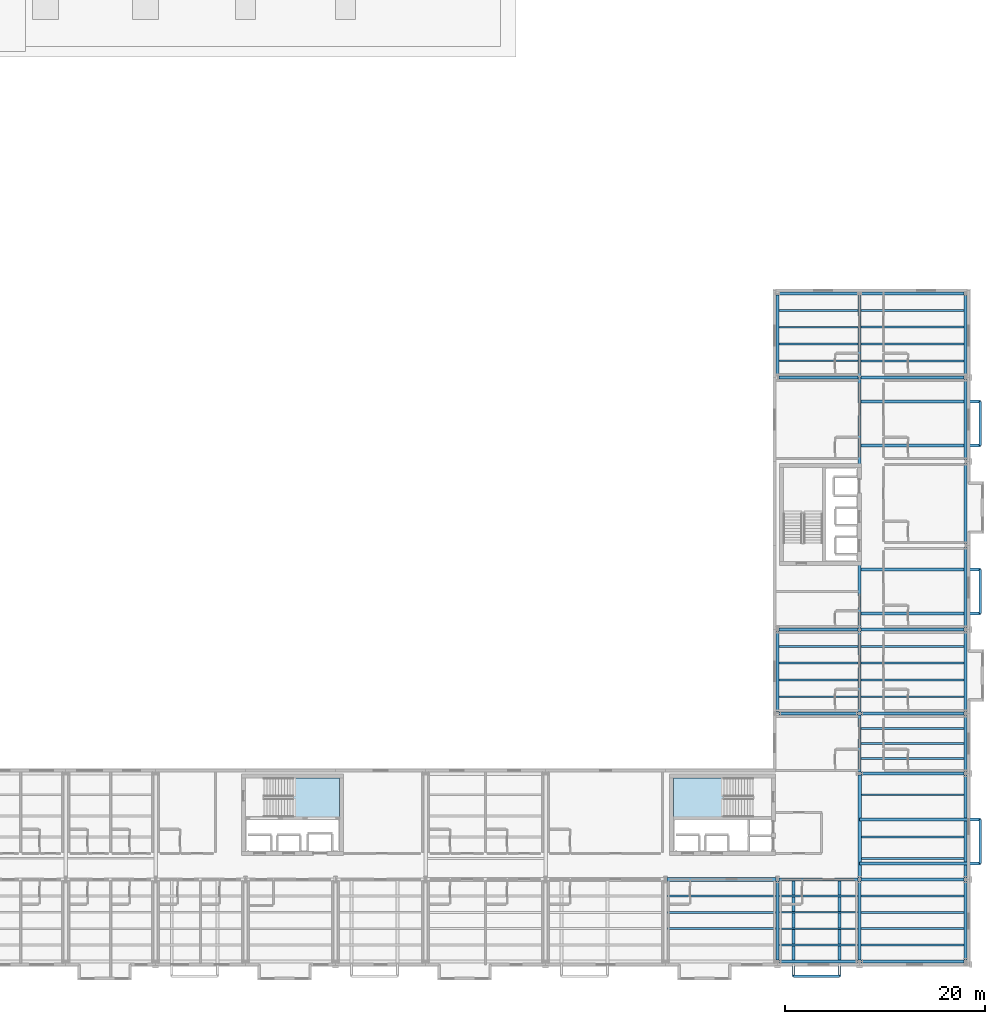
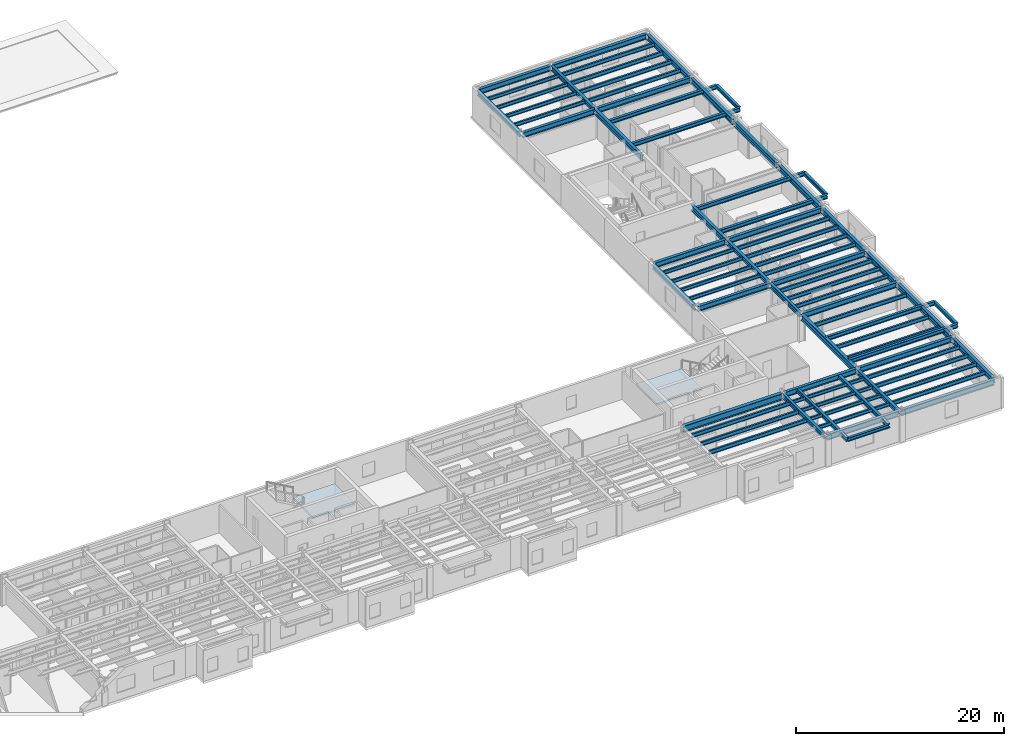
# One storey, part 8 of 27: 77 beams, 2 slabs, 2 elements without a shape of their own.
"""IFC4 building model written with IfcOpenShell, lengths in metres."""

from ifc_helpers import new_model, si_unit, direction, frame, origin, origin_2d, place, context, subcontext, project, spatial, polyline, i_section, outline, extrude, material, layer, layer_set, material_profile, profile_set, type_object, element, aggregate, save


model = new_model("IFC4")

# Units and contexts
model_context = context("Model", 3, precision=1e-05, world=origin(), true_north=direction((0.0, 1.0)))
body_context = subcontext(model_context, "Body", "Model", "MODEL_VIEW")
ifc_project = project(units=[si_unit("LENGTHUNIT", "METRE"), si_unit("AREAUNIT", "SQUARE_METRE"), si_unit("VOLUMEUNIT", "CUBIC_METRE"), si_unit("PLANEANGLEUNIT", "RADIAN"), si_unit("MASSUNIT", "GRAM", prefix="KILO")], contexts=[model_context])

# Site, building, storey
site_placement = place(None, origin())
site = spatial("IfcSite", under=ifc_project, at=site_placement, CompositionType="ELEMENT")
building_placement = place(site_placement, origin())
building = spatial("IfcBuilding", under=site, at=building_placement, Name="Sollismere Congress Hotel", CompositionType="ELEMENT")
storey_placement = place(building_placement, frame((0.0, 0.0, 27.0)))
storey = spatial("IfcBuildingStorey", under=building, at=storey_placement, Name="L06", CompositionType="ELEMENT", Elevation=27.0)

# Beams
ifc_material_1 = material(Name="Steel ASTM A992 Grade 50", Category="steel")
ifc_material_profile_1 = material_profile(ifc_material_1, i_section(OverallWidth=0.281982421875, OverallDepth=0.471923828125, WebThickness=0.013671875, FlangeThickness=0.022216796875, at=origin_2d()), Name="W18X97")
ifc_profile_set_1 = profile_set([ifc_material_profile_1], Name="Steel ASTM A992 Grade 50")
beam_type_1 = type_object("IfcBeamType", Name="BM-CK18E", PredefinedType="BEAM", material=ifc_profile_set_1)
for number, where, z_axis, x_axis, name in (
    (1, (148.800048828125, 8.199951171875, 3.0791015625), (0.0, -1.0, 0.0), (1.0, 0.0, 0.0), "Beam BM-L06-3981"),
    (2, (153.39990234375, 8.199951171875, 3.0791015625), (0.0, -1.0, 0.0), (1.0, 0.0, 0.0), "Beam BM-L06-3982"),
):
    element("IfcBeam", number, at=place(storey_placement, frame(where, z_axis=z_axis, x_axis=x_axis)), inside=storey, type_object=beam_type_1, Name=name, PredefinedType="BEAM", context=body_context, shape_type="SweptSolid", body=[
        extrude(i_section(OverallWidth=0.281982421875, OverallDepth=0.471923828125, WebThickness=0.013671875, FlangeThickness=0.022216796875, at=origin_2d()), origin(), (0.0, 0.0, 1.0), 9.68994140625),
    ])
for number, where, z_axis, x_axis, name in (
    (3, (155.39990234375, 9.800048828125, 3.0791015625), (1.0, 0.0, 0.0), (0.0, 1.0, 0.0), "Beam BM-L06-3984"),
    (4, (155.39990234375, 14.199951171875, 3.0791015625), (1.0, 0.0, 0.0), (0.0, 1.0, 0.0), "Beam BM-L06-3985"),
    (5, (155.39990234375, 34.800048828125, 3.0791015625), (1.0, 0.0, 0.0), (0.0, 1.0, 0.0), "Beam BM-L06-3987"),
    (6, (155.39990234375, 39.199951171875, 3.0791015625), (1.0, 0.0, 0.0), (0.0, 1.0, 0.0), "Beam BM-L06-3988"),
    (7, (155.39990234375, 51.60009765625, 3.0791015625), (1.0, 0.0, 0.0), (0.0, 1.0, 0.0), "Beam BM-L06-3990"),
    (8, (155.39990234375, 56.0, 3.0791015625), (1.0, 0.0, 0.0), (0.0, 1.0, 0.0), "Beam BM-L06-3991"),
):
    element("IfcBeam", number, at=place(storey_placement, frame(where, z_axis=z_axis, x_axis=x_axis)), inside=storey, type_object=beam_type_1, Name=name, PredefinedType="BEAM", context=body_context, shape_type="SweptSolid", body=[
        extrude(i_section(OverallWidth=0.281982421875, OverallDepth=0.471923828125, WebThickness=0.013671875, FlangeThickness=0.022216796875, at=origin_2d()), origin(), (0.0, 0.0, 1.0), 12.090087890625),
    ])
ifc_material_profile_2 = material_profile(ifc_material_1, i_section(OverallWidth=0.31494140625, OverallDepth=0.551025390625, WebThickness=0.01513671875, FlangeThickness=0.0244140625, at=origin_2d()), Name="W21X122")
ifc_profile_set_2 = profile_set([ifc_material_profile_2], Name="Steel ASTM A992 Grade 50")
beam_type_2 = type_object("IfcBeamType", Name="BM-G21H", PredefinedType="BEAM", material=ifc_profile_set_2)
beam_1_placement = place(storey_placement, frame((147.199951171875, 0.139892578125, 3.03955078125), z_axis=(0.0, 1.0, 0.0), x_axis=(-1.0, 0.0, 0.0)))
element("IfcBeam", 9, at=beam_1_placement, inside=storey, type_object=beam_type_2, Name="Beam BM-L06-3163", PredefinedType="BEAM", context=body_context, shape_type="SweptSolid", body=[
    extrude(i_section(OverallWidth=0.31494140625, OverallDepth=0.551025390625, WebThickness=0.01513671875, FlangeThickness=0.0244140625, at=origin_2d()), origin(), (0.0, 0.0, 1.0), 7.920166015625),
])
beam_2_placement = place(storey_placement, frame((147.199951171875, 24.93994140625, 3.03955078125), z_axis=(0.0, 1.0, 0.0), x_axis=(-1.0, 0.0, 0.0)))
element("IfcBeam", 10, at=beam_2_placement, inside=storey, type_object=beam_type_2, Name="Beam BM-L06-3164", PredefinedType="BEAM", context=body_context, shape_type="SweptSolid", body=[
    extrude(i_section(OverallWidth=0.31494140625, OverallDepth=0.551025390625, WebThickness=0.01513671875, FlangeThickness=0.0244140625, at=origin_2d()), origin(), (0.0, 0.0, 1.0), 8.1201171875),
])
beam_3_placement = place(storey_placement, frame((147.199951171875, 58.5400390625, 3.03955078125), z_axis=(0.0, 1.0, 0.0), x_axis=(-1.0, 0.0, 0.0)))
element("IfcBeam", 11, at=beam_3_placement, inside=storey, type_object=beam_type_2, Name="Beam BM-L06-3165", PredefinedType="BEAM", context=body_context, shape_type="SweptSolid", body=[
    extrude(i_section(OverallWidth=0.31494140625, OverallDepth=0.551025390625, WebThickness=0.01513671875, FlangeThickness=0.0244140625, at=origin_2d()), origin(), (0.0, 0.0, 1.0), 8.119873046875),
])
beam_4_placement = place(storey_placement, frame((155.39990234375, 0.139892578125, 3.03955078125), z_axis=(0.0, 1.0, 0.0), x_axis=(-1.0, 0.0, 0.0)))
element("IfcBeam", 12, at=beam_4_placement, inside=storey, type_object=beam_type_2, Name="Beam BM-L06-3166", PredefinedType="BEAM", context=body_context, shape_type="SweptSolid", body=[
    extrude(i_section(OverallWidth=0.31494140625, OverallDepth=0.551025390625, WebThickness=0.01513671875, FlangeThickness=0.0244140625, at=origin_2d()), origin(), (0.0, 0.0, 1.0), 7.920166015625),
])
beam_5_placement = place(storey_placement, frame((155.39990234375, 18.93994140625, 3.03955078125), z_axis=(0.0, 1.0, 0.0), x_axis=(-1.0, 0.0, 0.0)))
element("IfcBeam", 13, at=beam_5_placement, inside=storey, type_object=beam_type_2, Name="Beam BM-L06-3168", PredefinedType="BEAM", context=body_context, shape_type="SweptSolid", body=[
    extrude(i_section(OverallWidth=0.31494140625, OverallDepth=0.551025390625, WebThickness=0.01513671875, FlangeThickness=0.0244140625, at=origin_2d()), origin(), (0.0, 0.0, 1.0), 5.719970703125),
])
beam_6_placement = place(storey_placement, frame((155.39990234375, 24.93994140625, 3.03955078125), z_axis=(0.0, 1.0, 0.0), x_axis=(-1.0, 0.0, 0.0)))
element("IfcBeam", 14, at=beam_6_placement, inside=storey, type_object=beam_type_2, Name="Beam BM-L06-3169", PredefinedType="BEAM", context=body_context, shape_type="SweptSolid", body=[
    extrude(i_section(OverallWidth=0.31494140625, OverallDepth=0.551025390625, WebThickness=0.01513671875, FlangeThickness=0.0244140625, at=origin_2d()), origin(), (0.0, 0.0, 1.0), 8.1201171875),
])
beam_7_placement = place(storey_placement, frame((155.39990234375, 58.5400390625, 3.03955078125), z_axis=(0.0, 1.0, 0.0), x_axis=(-1.0, 0.0, 0.0)))
element("IfcBeam", 15, at=beam_7_placement, inside=storey, type_object=beam_type_2, Name="Beam BM-L06-3170", PredefinedType="BEAM", context=body_context, shape_type="SweptSolid", body=[
    extrude(i_section(OverallWidth=0.31494140625, OverallDepth=0.551025390625, WebThickness=0.01513671875, FlangeThickness=0.0244140625, at=origin_2d()), origin(), (0.0, 0.0, 1.0), 8.119873046875),
])
ifc_material_profile_3 = material_profile(ifc_material_1, i_section(OverallWidth=0.324951171875, OverallDepth=0.612060546875, WebThickness=0.0126953125, FlangeThickness=0.01904296875, at=origin_2d()), Name="W24X104")
ifc_profile_set_3 = profile_set([ifc_material_profile_3], Name="Steel ASTM A992 Grade 50")
beam_type_3 = type_object("IfcBeamType", Name="BM-G24", PredefinedType="BEAM", material=ifc_profile_set_3)
beam_8_placement = place(storey_placement, frame((147.340087890625, 8.199951171875, 3.009033203125), z_axis=(1.0, 0.0, 0.0), x_axis=(0.0, 1.0, 0.0)))
element("IfcBeam", 16, at=beam_8_placement, inside=storey, type_object=beam_type_3, Name="Beam BM-L06-3129", PredefinedType="BEAM", context=body_context, shape_type="SweptSolid", body=[
    extrude(i_section(OverallWidth=0.324951171875, OverallDepth=0.612060546875, WebThickness=0.0126953125, FlangeThickness=0.01904296875, at=origin_2d()), origin(), (0.0, 0.0, 1.0), 7.919921875),
])
for number, where, z_axis, x_axis, name in (
    (17, (155.5400390625, 8.199951171875, 3.009033203125), (1.0, 0.0, 0.0), (0.0, 1.0, 0.0), "Beam BM-L06-3130"),
    (18, (155.5400390625, 18.800048828125, 3.009033203125), (1.0, 0.0, 0.0), (0.0, 1.0, 0.0), "Beam BM-L06-3135"),
):
    element("IfcBeam", number, at=place(storey_placement, frame(where, z_axis=z_axis, x_axis=x_axis)), inside=storey, type_object=beam_type_3, Name=name, PredefinedType="BEAM", context=body_context, shape_type="SweptSolid", body=[
        extrude(i_section(OverallWidth=0.324951171875, OverallDepth=0.612060546875, WebThickness=0.0126953125, FlangeThickness=0.01904296875, at=origin_2d()), origin(), (0.0, 0.0, 1.0), 10.320068359375),
    ])
beam_9_placement = place(storey_placement, frame((147.340087890625, 24.800048828125, 3.009033203125), z_axis=(1.0, 0.0, 0.0), x_axis=(0.0, 1.0, 0.0)))
element("IfcBeam", 19, at=beam_9_placement, inside=storey, type_object=beam_type_3, Name="Beam BM-L06-3136", PredefinedType="BEAM", context=body_context, shape_type="SweptSolid", body=[
    extrude(i_section(OverallWidth=0.324951171875, OverallDepth=0.612060546875, WebThickness=0.0126953125, FlangeThickness=0.01904296875, at=origin_2d()), origin(), (0.0, 0.0, 1.0), 7.919921875),
])
beam_10_placement = place(storey_placement, frame((155.5400390625, 24.800048828125, 3.009033203125), z_axis=(1.0, 0.0, 0.0), x_axis=(0.0, 1.0, 0.0)))
element("IfcBeam", 20, at=beam_10_placement, inside=storey, type_object=beam_type_3, Name="Beam BM-L06-3137", PredefinedType="BEAM", context=body_context, shape_type="SweptSolid", body=[
    extrude(i_section(OverallWidth=0.324951171875, OverallDepth=0.612060546875, WebThickness=0.0126953125, FlangeThickness=0.01904296875, at=origin_2d()), origin(), (0.0, 0.0, 1.0), 10.320068359375),
])
beam_11_placement = place(storey_placement, frame((147.340087890625, 33.199951171875, 3.009033203125), z_axis=(1.0, 0.0, 0.0), x_axis=(0.0, 1.0, 0.0)))
element("IfcBeam", 21, at=beam_11_placement, inside=storey, type_object=beam_type_3, Name="Beam BM-L06-3138", PredefinedType="BEAM", context=body_context, shape_type="SweptSolid", body=[
    extrude(i_section(OverallWidth=0.324951171875, OverallDepth=0.612060546875, WebThickness=0.0126953125, FlangeThickness=0.01904296875, at=origin_2d()), origin(), (0.0, 0.0, 1.0), 7.919921875),
])
beam_12_placement = place(storey_placement, frame((155.5400390625, 33.199951171875, 3.009033203125), z_axis=(1.0, 0.0, 0.0), x_axis=(0.0, 1.0, 0.0)))
element("IfcBeam", 22, at=beam_12_placement, inside=storey, type_object=beam_type_3, Name="Beam BM-L06-3139", PredefinedType="BEAM", context=body_context, shape_type="SweptSolid", body=[
    extrude(i_section(OverallWidth=0.324951171875, OverallDepth=0.612060546875, WebThickness=0.0126953125, FlangeThickness=0.01904296875, at=origin_2d()), origin(), (0.0, 0.0, 1.0), 10.320068359375),
])
beam_13_placement = place(storey_placement, frame((147.3310546875, 58.39990234375, 3.009033203125), z_axis=(1.0, 0.0, 0.0), x_axis=(0.0, 1.0, 0.0)))
element("IfcBeam", 23, at=beam_13_placement, inside=storey, type_object=beam_type_3, Name="Beam BM-L06-3140", PredefinedType="BEAM", context=body_context, shape_type="SweptSolid", body=[
    extrude(i_section(OverallWidth=0.324951171875, OverallDepth=0.612060546875, WebThickness=0.0126953125, FlangeThickness=0.01904296875, at=origin_2d()), origin(), (0.0, 0.0, 1.0), 7.93798828125),
])
beam_14_placement = place(storey_placement, frame((155.531005859375, 58.39990234375, 3.009033203125), z_axis=(1.0, 0.0, 0.0), x_axis=(0.0, 1.0, 0.0)))
element("IfcBeam", 24, at=beam_14_placement, inside=storey, type_object=beam_type_3, Name="Beam BM-L06-3141", PredefinedType="BEAM", context=body_context, shape_type="SweptSolid", body=[
    extrude(i_section(OverallWidth=0.324951171875, OverallDepth=0.612060546875, WebThickness=0.0126953125, FlangeThickness=0.01904296875, at=origin_2d()), origin(), (0.0, 0.0, 1.0), 10.337890625),
])
beam_15_placement = place(storey_placement, frame((147.3310546875, 66.800048828125, 3.009033203125), z_axis=(1.0, 0.0, 0.0), x_axis=(0.0, 1.0, 0.0)))
element("IfcBeam", 25, at=beam_15_placement, inside=storey, type_object=beam_type_3, Name="Beam BM-L06-3142", PredefinedType="BEAM", context=body_context, shape_type="SweptSolid", body=[
    extrude(i_section(OverallWidth=0.324951171875, OverallDepth=0.612060546875, WebThickness=0.0126953125, FlangeThickness=0.01904296875, at=origin_2d()), origin(), (0.0, 0.0, 1.0), 7.93798828125),
])
beam_16_placement = place(storey_placement, frame((155.531005859375, 66.800048828125, 3.009033203125), z_axis=(1.0, 0.0, 0.0), x_axis=(0.0, 1.0, 0.0)))
element("IfcBeam", 26, at=beam_16_placement, inside=storey, type_object=beam_type_3, Name="Beam BM-L06-3143", PredefinedType="BEAM", context=body_context, shape_type="SweptSolid", body=[
    extrude(i_section(OverallWidth=0.324951171875, OverallDepth=0.612060546875, WebThickness=0.0126953125, FlangeThickness=0.01904296875, at=origin_2d()), origin(), (0.0, 0.0, 1.0), 10.337890625),
])
ifc_material_profile_4 = material_profile(ifc_material_1, i_section(OverallWidth=0.330078125, OverallDepth=0.635009765625, WebThickness=0.017822265625, FlangeThickness=0.031005859375, at=origin_2d()), Name="W24X162")
ifc_profile_set_4 = profile_set([ifc_material_profile_4], Name="Steel ASTM A992 Grade 50")
beam_type_4 = type_object("IfcBeamType", Name="BM-G24H", PredefinedType="BEAM", material=ifc_profile_set_4)
beam_17_placement = place(storey_placement, frame((155.39990234375, 33.320068359375, 2.99755859375), z_axis=(0.0, 1.0, 0.0), x_axis=(-1.0, 0.0, 0.0)))
element("IfcBeam", 27, at=beam_17_placement, inside=storey, type_object=beam_type_4, Name="Beam BM-L06-3970", PredefinedType="BEAM", context=body_context, shape_type="SweptSolid", body=[
    extrude(i_section(OverallWidth=0.330078125, OverallDepth=0.635009765625, WebThickness=0.017822265625, FlangeThickness=0.031005859375, at=origin_2d()), origin(), (0.0, 0.0, 1.0), 6.530029296875),
])
beam_18_placement = place(storey_placement, frame((155.39990234375, 49.25, 2.99755859375), z_axis=(0.0, 1.0, 0.0), x_axis=(-1.0, 0.0, 0.0)))
element("IfcBeam", 28, at=beam_18_placement, inside=storey, type_object=beam_type_4, Name="Beam BM-L06-3971", PredefinedType="BEAM", context=body_context, shape_type="SweptSolid", body=[
    extrude(i_section(OverallWidth=0.330078125, OverallDepth=0.635009765625, WebThickness=0.017822265625, FlangeThickness=0.031005859375, at=origin_2d()), origin(), (0.0, 0.0, 1.0), 9.14990234375),
])
ifc_material_profile_5 = material_profile(ifc_material_1, i_section(OverallWidth=0.35595703125, OverallDepth=0.696044921875, WebThickness=0.015380859375, FlangeThickness=0.025146484375, at=origin_2d()), Name="W27X146")
ifc_profile_set_5 = profile_set([ifc_material_profile_5], Name="Steel ASTM A992 Grade 50")
beam_type_5 = type_object("IfcBeamType", Name="BM-G27", PredefinedType="BEAM", material=ifc_profile_set_5)
beam_19_placement = place(storey_placement, frame((155.39990234375, 8.340087890625, 2.967041015625), z_axis=(0.0, 1.0, 0.0), x_axis=(-1.0, 0.0, 0.0)))
element("IfcBeam", 29, at=beam_19_placement, inside=storey, type_object=beam_type_5, Name="Beam BM-L06-3167", PredefinedType="BEAM", context=body_context, shape_type="SweptSolid", body=[
    extrude(i_section(OverallWidth=0.35595703125, OverallDepth=0.696044921875, WebThickness=0.015380859375, FlangeThickness=0.025146484375, at=origin_2d()), origin(), (0.0, 0.0, 1.0), 10.31982421875),
])
ifc_material_profile_6 = material_profile(ifc_material_1, i_section(OverallWidth=0.384033203125, OverallDepth=0.787109375, WebThickness=0.019775390625, FlangeThickness=0.033447265625, at=origin_2d()), Name="W30X211")
ifc_profile_set_6 = profile_set([ifc_material_profile_6], Name="Steel ASTM A992 Grade 50")
beam_type_6 = type_object("IfcBeamType", Name="BM-G30", PredefinedType="BEAM", material=ifc_profile_set_6)
beam_20_placement = place(storey_placement, frame((136.139892578125, 8.199951171875, 2.92138671875), z_axis=(1.0, 0.0, 0.0), x_axis=(0.0, 1.0, 0.0)))
element("IfcBeam", 30, at=beam_20_placement, inside=storey, type_object=beam_type_6, Name="Beam BM-L06-3128", PredefinedType="BEAM", context=body_context, shape_type="SweptSolid", body=[
    extrude(i_section(OverallWidth=0.384033203125, OverallDepth=0.787109375, WebThickness=0.019775390625, FlangeThickness=0.033447265625, at=origin_2d()), origin(), (0.0, 0.0, 1.0), 10.920166015625),
])
ifc_material_profile_7 = material_profile(ifc_material_1, i_section(OverallWidth=0.180908203125, OverallDepth=0.4169921875, WebThickness=0.010986328125, FlangeThickness=0.018310546875, at=origin_2d()), Name="W16X57")
ifc_profile_set_7 = profile_set([ifc_material_profile_7], Name="Steel ASTM A992 Grade 50")
beam_type_7 = type_object("IfcBeamType", Name="BM-J16", PredefinedType="JOIST", material=ifc_profile_set_7)
for number, where, z_axis, x_axis, name in (
    (31, (147.357421875, 1.639892578125, 3.1064453125), (1.0, 0.0, 0.0), (0.0, 1.0, 0.0), "Beam BM-L06-3243"),
    (32, (147.357421875, 3.280029296875, 3.1064453125), (1.0, 0.0, 0.0), (0.0, 1.0, 0.0), "Beam BM-L06-3244"),
    (33, (147.357421875, 4.919921875, 3.1064453125), (1.0, 0.0, 0.0), (0.0, 1.0, 0.0), "Beam BM-L06-3245"),
    (34, (147.357421875, 6.56005859375, 3.1064453125), (1.0, 0.0, 0.0), (0.0, 1.0, 0.0), "Beam BM-L06-3246"),
    (35, (147.357421875, 26.47998046875, 3.1064453125), (1.0, 0.0, 0.0), (0.0, 1.0, 0.0), "Beam BM-L06-3247"),
    (36, (147.357421875, 28.159912109375, 3.1064453125), (1.0, 0.0, 0.0), (0.0, 1.0, 0.0), "Beam BM-L06-3248"),
    (37, (147.357421875, 29.840087890625, 3.1064453125), (1.0, 0.0, 0.0), (0.0, 1.0, 0.0), "Beam BM-L06-3249"),
    (38, (147.357421875, 31.52001953125, 3.1064453125), (1.0, 0.0, 0.0), (0.0, 1.0, 0.0), "Beam BM-L06-3250"),
    (39, (147.357421875, 60.080078125, 3.1064453125), (1.0, 0.0, 0.0), (0.0, 1.0, 0.0), "Beam BM-L06-3251"),
    (40, (147.357421875, 61.760009765625, 3.1064453125), (1.0, 0.0, 0.0), (0.0, 1.0, 0.0), "Beam BM-L06-3252"),
    (41, (147.357421875, 63.43994140625, 3.1064453125), (1.0, 0.0, 0.0), (0.0, 1.0, 0.0), "Beam BM-L06-3253"),
    (42, (147.357421875, 65.1201171875, 3.1064453125), (1.0, 0.0, 0.0), (0.0, 1.0, 0.0), "Beam BM-L06-3254"),
):
    element("IfcBeam", number, at=place(storey_placement, frame(where, z_axis=z_axis, x_axis=x_axis)), inside=storey, type_object=beam_type_7, Name=name, PredefinedType="JOIST", context=body_context, shape_type="SweptSolid", body=[
        extrude(i_section(OverallWidth=0.180908203125, OverallDepth=0.4169921875, WebThickness=0.010986328125, FlangeThickness=0.018310546875, at=origin_2d()), origin(), (0.0, 0.0, 1.0), 7.885009765625),
    ])
ifc_material_profile_8 = material_profile(ifc_material_1, i_section(OverallWidth=0.193115234375, OverallDepth=0.467041015625, WebThickness=0.011474609375, FlangeThickness=0.01904296875, at=origin_2d()), Name="W18X65")
ifc_profile_set_8 = profile_set([ifc_material_profile_8], Name="Steel ASTM A992 Grade 50")
beam_type_8 = type_object("IfcBeamType", Name="BM-J18", PredefinedType="JOIST", material=ifc_profile_set_8)
for number, where, z_axis, x_axis, name in (
    (43, (136.157470703125, 3.280029296875, 3.08154296875), (1.0, 0.0, 0.0), (0.0, 1.0, 0.0), "Beam BM-L06-3240"),
    (44, (136.157470703125, 4.919921875, 3.08154296875), (1.0, 0.0, 0.0), (0.0, 1.0, 0.0), "Beam BM-L06-3241"),
    (45, (136.157470703125, 6.56005859375, 3.08154296875), (1.0, 0.0, 0.0), (0.0, 1.0, 0.0), "Beam BM-L06-3242"),
):
    element("IfcBeam", number, at=place(storey_placement, frame(where, z_axis=z_axis, x_axis=x_axis)), inside=storey, type_object=beam_type_8, Name=name, PredefinedType="JOIST", context=body_context, shape_type="SweptSolid", body=[
        extrude(i_section(OverallWidth=0.193115234375, OverallDepth=0.467041015625, WebThickness=0.011474609375, FlangeThickness=0.01904296875, at=origin_2d()), origin(), (0.0, 0.0, 1.0), 10.885009765625),
    ])
for number, where, z_axis, x_axis, name in (
    (46, (155.5576171875, 1.639892578125, 3.08154296875), (1.0, 0.0, 0.0), (0.0, 1.0, 0.0), "Beam BM-L06-3255"),
    (47, (155.5576171875, 3.280029296875, 3.08154296875), (1.0, 0.0, 0.0), (0.0, 1.0, 0.0), "Beam BM-L06-3256"),
    (48, (155.5576171875, 4.919921875, 3.08154296875), (1.0, 0.0, 0.0), (0.0, 1.0, 0.0), "Beam BM-L06-3257"),
    (49, (155.5576171875, 6.56005859375, 3.08154296875), (1.0, 0.0, 0.0), (0.0, 1.0, 0.0), "Beam BM-L06-3258"),
):
    element("IfcBeam", number, at=place(storey_placement, frame(where, z_axis=z_axis, x_axis=x_axis)), inside=storey, type_object=beam_type_8, Name=name, PredefinedType="JOIST", context=body_context, shape_type="SweptSolid", body=[
        extrude(i_section(OverallWidth=0.193115234375, OverallDepth=0.467041015625, WebThickness=0.011474609375, FlangeThickness=0.01904296875, at=origin_2d()), origin(), (0.0, 0.0, 1.0), 10.27734375),
    ])
for number, where, z_axis, x_axis, name in (
    (50, (155.577880859375, 10.320068359375, 3.08154296875), (1.0, 0.0, 0.0), (0.0, 1.0, 0.0), "Beam BM-L06-3259"),
    (51, (155.577880859375, 12.43994140625, 3.08154296875), (1.0, 0.0, 0.0), (0.0, 1.0, 0.0), "Beam BM-L06-3260"),
    (52, (155.577880859375, 16.679931640625, 3.08154296875), (1.0, 0.0, 0.0), (0.0, 1.0, 0.0), "Beam BM-L06-3261"),
):
    element("IfcBeam", number, at=place(storey_placement, frame(where, z_axis=z_axis, x_axis=x_axis)), inside=storey, type_object=beam_type_8, Name=name, PredefinedType="JOIST", context=body_context, shape_type="SweptSolid", body=[
        extrude(i_section(OverallWidth=0.193115234375, OverallDepth=0.467041015625, WebThickness=0.011474609375, FlangeThickness=0.01904296875, at=origin_2d()), origin(), (0.0, 0.0, 1.0), 10.257080078125),
    ])
for number, where, z_axis, x_axis, name in (
    (53, (155.5576171875, 20.300048828125, 3.08154296875), (1.0, 0.0, 0.0), (0.0, 1.0, 0.0), "Beam BM-L06-3262"),
    (54, (155.5576171875, 21.800048828125, 3.08154296875), (1.0, 0.0, 0.0), (0.0, 1.0, 0.0), "Beam BM-L06-3263"),
    (55, (155.5576171875, 23.300048828125, 3.08154296875), (1.0, 0.0, 0.0), (0.0, 1.0, 0.0), "Beam BM-L06-3264"),
    (56, (155.5576171875, 26.47998046875, 3.08154296875), (1.0, 0.0, 0.0), (0.0, 1.0, 0.0), "Beam BM-L06-3265"),
    (57, (155.5576171875, 28.159912109375, 3.08154296875), (1.0, 0.0, 0.0), (0.0, 1.0, 0.0), "Beam BM-L06-3266"),
    (58, (155.5576171875, 29.840087890625, 3.08154296875), (1.0, 0.0, 0.0), (0.0, 1.0, 0.0), "Beam BM-L06-3267"),
    (59, (155.5576171875, 31.52001953125, 3.08154296875), (1.0, 0.0, 0.0), (0.0, 1.0, 0.0), "Beam BM-L06-3268"),
    (60, (155.5576171875, 60.080078125, 3.08154296875), (1.0, 0.0, 0.0), (0.0, 1.0, 0.0), "Beam BM-L06-3269"),
    (61, (155.5576171875, 61.760009765625, 3.08154296875), (1.0, 0.0, 0.0), (0.0, 1.0, 0.0), "Beam BM-L06-3270"),
    (62, (155.5576171875, 63.43994140625, 3.08154296875), (1.0, 0.0, 0.0), (0.0, 1.0, 0.0), "Beam BM-L06-3271"),
    (63, (155.5576171875, 65.1201171875, 3.08154296875), (1.0, 0.0, 0.0), (0.0, 1.0, 0.0), "Beam BM-L06-3272"),
):
    element("IfcBeam", number, at=place(storey_placement, frame(where, z_axis=z_axis, x_axis=x_axis)), inside=storey, type_object=beam_type_8, Name=name, PredefinedType="JOIST", context=body_context, shape_type="SweptSolid", body=[
        extrude(i_section(OverallWidth=0.193115234375, OverallDepth=0.467041015625, WebThickness=0.011474609375, FlangeThickness=0.01904296875, at=origin_2d()), origin(), (0.0, 0.0, 1.0), 10.27734375),
    ])
ifc_material_profile_9 = material_profile(ifc_material_1, i_section(OverallWidth=0.261962890625, OverallDepth=0.4189453125, WebThickness=0.01171875, FlangeThickness=0.019287109375, at=origin_2d()), Name="W16X77")
ifc_profile_set_9 = profile_set([ifc_material_profile_9], Name="Steel ASTM A992 Grade 50")
beam_type_9 = type_object("IfcBeamType", Name="BM-LN16E", PredefinedType="LINTEL", material=ifc_profile_set_9)
beam_21_placement = place(storey_placement, frame((148.800048828125, -1.489990234375, 3.10546875), z_axis=(1.0, 0.0, 0.0), x_axis=(0.0, 1.0, 0.0)))
element("IfcBeam", 64, at=beam_21_placement, inside=storey, type_object=beam_type_9, Name="Beam BM-L06-3983", PredefinedType="LINTEL", context=body_context, shape_type="SweptSolid", body=[
    extrude(i_section(OverallWidth=0.261962890625, OverallDepth=0.4189453125, WebThickness=0.01171875, FlangeThickness=0.019287109375, at=origin_2d()), origin(), (0.0, 0.0, 1.0), 4.599853515625),
])
for number, where, z_axis, x_axis, name in (
    (65, (167.489990234375, 9.800048828125, 3.10546875), (0.0, 1.0, 0.0), (-1.0, 0.0, 0.0), "Beam BM-L06-3986"),
    (66, (167.489990234375, 34.800048828125, 3.10546875), (0.0, 1.0, 0.0), (-1.0, 0.0, 0.0), "Beam BM-L06-3989"),
    (67, (167.489990234375, 51.60009765625, 3.10546875), (0.0, 1.0, 0.0), (-1.0, 0.0, 0.0), "Beam BM-L06-3992"),
):
    element("IfcBeam", number, at=place(storey_placement, frame(where, z_axis=z_axis, x_axis=x_axis)), inside=storey, type_object=beam_type_9, Name=name, PredefinedType="LINTEL", context=body_context, shape_type="SweptSolid", body=[
        extrude(i_section(OverallWidth=0.261962890625, OverallDepth=0.4189453125, WebThickness=0.01171875, FlangeThickness=0.019287109375, at=origin_2d()), origin(), (0.0, 0.0, 1.0), 4.39990234375),
    ])
ifc_material_profile_10 = material_profile(ifc_material_1, i_section(OverallWidth=0.330078125, OverallDepth=0.635009765625, WebThickness=0.017822265625, FlangeThickness=0.031005859375, at=origin_2d()), Name="W24X162")
ifc_profile_set_10 = profile_set([ifc_material_profile_10], Name="Steel ASTM A992 Grade 50")
beam_type_10 = type_object("IfcBeamType", Name="BM-SP24E", PredefinedType="SPANDREL", material=ifc_profile_set_10)
beam_22_placement = place(storey_placement, frame((147.340087890625, 0.0, 2.99755859375), z_axis=(1.0, 0.0, 0.0), x_axis=(0.0, 1.0, 0.0)))
element("IfcBeam", 68, at=beam_22_placement, inside=storey, type_object=beam_type_10, Name="Beam BM-L06-3115", PredefinedType="SPANDREL", context=body_context, shape_type="SweptSolid", body=[
    extrude(i_section(OverallWidth=0.330078125, OverallDepth=0.635009765625, WebThickness=0.017822265625, FlangeThickness=0.031005859375, at=origin_2d()), origin(), (0.0, 0.0, 1.0), 7.919921875),
])
beam_23_placement = place(storey_placement, frame((155.5400390625, 0.0, 2.99755859375), z_axis=(1.0, 0.0, 0.0), x_axis=(0.0, 1.0, 0.0)))
element("IfcBeam", 69, at=beam_23_placement, inside=storey, type_object=beam_type_10, Name="Beam BM-L06-3116", PredefinedType="SPANDREL", context=body_context, shape_type="SweptSolid", body=[
    extrude(i_section(OverallWidth=0.330078125, OverallDepth=0.635009765625, WebThickness=0.017822265625, FlangeThickness=0.031005859375, at=origin_2d()), origin(), (0.0, 0.0, 1.0), 10.320068359375),
])
beam_24_placement = place(storey_placement, frame((166.0, 0.139892578125, 2.99755859375), z_axis=(0.0, 1.0, 0.0), x_axis=(-1.0, 0.0, 0.0)))
element("IfcBeam", 70, at=beam_24_placement, inside=storey, type_object=beam_type_10, Name="Beam BM-L06-3171", PredefinedType="SPANDREL", context=body_context, shape_type="SweptSolid", body=[
    extrude(i_section(OverallWidth=0.330078125, OverallDepth=0.635009765625, WebThickness=0.017822265625, FlangeThickness=0.031005859375, at=origin_2d()), origin(), (0.0, 0.0, 1.0), 7.920166015625),
])
beam_25_placement = place(storey_placement, frame((166.0, 8.340087890625, 2.99755859375), z_axis=(0.0, 1.0, 0.0), x_axis=(-1.0, 0.0, 0.0)))
element("IfcBeam", 71, at=beam_25_placement, inside=storey, type_object=beam_type_10, Name="Beam BM-L06-3172", PredefinedType="SPANDREL", context=body_context, shape_type="SweptSolid", body=[
    extrude(i_section(OverallWidth=0.330078125, OverallDepth=0.635009765625, WebThickness=0.017822265625, FlangeThickness=0.031005859375, at=origin_2d()), origin(), (0.0, 0.0, 1.0), 10.31982421875),
])
beam_26_placement = place(storey_placement, frame((166.0, 18.93994140625, 2.99755859375), z_axis=(0.0, 1.0, 0.0), x_axis=(-1.0, 0.0, 0.0)))
element("IfcBeam", 72, at=beam_26_placement, inside=storey, type_object=beam_type_10, Name="Beam BM-L06-3173", PredefinedType="SPANDREL", context=body_context, shape_type="SweptSolid", body=[
    extrude(i_section(OverallWidth=0.330078125, OverallDepth=0.635009765625, WebThickness=0.017822265625, FlangeThickness=0.031005859375, at=origin_2d()), origin(), (0.0, 0.0, 1.0), 5.719970703125),
])
beam_27_placement = place(storey_placement, frame((166.0, 24.93994140625, 2.99755859375), z_axis=(0.0, 1.0, 0.0), x_axis=(-1.0, 0.0, 0.0)))
element("IfcBeam", 73, at=beam_27_placement, inside=storey, type_object=beam_type_10, Name="Beam BM-L06-3174", PredefinedType="SPANDREL", context=body_context, shape_type="SweptSolid", body=[
    extrude(i_section(OverallWidth=0.330078125, OverallDepth=0.635009765625, WebThickness=0.017822265625, FlangeThickness=0.031005859375, at=origin_2d()), origin(), (0.0, 0.0, 1.0), 8.1201171875),
])
beam_28_placement = place(storey_placement, frame((166.0, 33.340087890625, 2.99755859375), z_axis=(0.0, 1.0, 0.0), x_axis=(-1.0, 0.0, 0.0)))
element("IfcBeam", 74, at=beam_28_placement, inside=storey, type_object=beam_type_10, Name="Beam BM-L06-3175", PredefinedType="SPANDREL", context=body_context, shape_type="SweptSolid", body=[
    extrude(i_section(OverallWidth=0.330078125, OverallDepth=0.635009765625, WebThickness=0.017822265625, FlangeThickness=0.031005859375, at=origin_2d()), origin(), (0.0, 0.0, 1.0), 8.119873046875),
])
for number, where, z_axis, x_axis, name in (
    (75, (166.0, 41.739990234375, 2.99755859375), (0.0, 1.0, 0.0), (-1.0, 0.0, 0.0), "Beam BM-L06-3176"),
    (76, (166.0, 50.139892578125, 2.99755859375), (0.0, 1.0, 0.0), (-1.0, 0.0, 0.0), "Beam BM-L06-3177"),
):
    element("IfcBeam", number, at=place(storey_placement, frame(where, z_axis=z_axis, x_axis=x_axis)), inside=storey, type_object=beam_type_10, Name=name, PredefinedType="SPANDREL", context=body_context, shape_type="SweptSolid", body=[
        extrude(i_section(OverallWidth=0.330078125, OverallDepth=0.635009765625, WebThickness=0.017822265625, FlangeThickness=0.031005859375, at=origin_2d()), origin(), (0.0, 0.0, 1.0), 8.1201171875),
    ])
beam_29_placement = place(storey_placement, frame((166.0, 58.5400390625, 2.99755859375), z_axis=(0.0, 1.0, 0.0), x_axis=(-1.0, 0.0, 0.0)))
element("IfcBeam", 77, at=beam_29_placement, inside=storey, type_object=beam_type_10, Name="Beam BM-L06-3178", PredefinedType="SPANDREL", context=body_context, shape_type="SweptSolid", body=[
    extrude(i_section(OverallWidth=0.330078125, OverallDepth=0.635009765625, WebThickness=0.017822265625, FlangeThickness=0.031005859375, at=origin_2d()), origin(), (0.0, 0.0, 1.0), 8.119873046875),
])

# Stair, slab
ifc_material_2 = material(Name="Concrete C40/50", Category="concrete")
stair_type = type_object("IfcStairType", Name="STR-DL-360", PredefinedType="HALF_TURN_STAIR", material=ifc_material_2)
stair_1_placement = place(storey_placement, origin())
stair_1 = element("IfcStair", 78, at=stair_1_placement, inside=storey, type_object=stair_type, Name="Protected exit stair ST-01-L06", PredefinedType="HALF_TURN_STAIR")
ifc_layer = layer(ifc_material_2, 0.199951171875, Name="Concrete C40/50")
ifc_layer_set = layer_set([ifc_layer], Name="Concrete C40/50")
slab_type = type_object("IfcSlabType", Name="SL-LND200", PredefinedType="LANDING", material=ifc_layer_set)
slab_1_placement = place(storey_placement, frame((0.0, 0.0, 1.60009765625)))
slab_1 = element("IfcSlab", 79, at=slab_1_placement, type_object=slab_type, Name="Exit stair half-landing ST-01-L06-L1", PredefinedType="LANDING", context=body_context, shape_type="SweptSolid", body=[
    extrude(outline(polyline([(141.85009765625, 18.35009765625), (136.800048828125, 18.35009765625), (136.800048828125, 14.449951171875), (141.85009765625, 14.449951171875), (141.85009765625, 18.35009765625)])), origin(), (0.0, 0.0, 1.0), 0.199951171875),
])
aggregate(stair_1, [slab_1])

stair_2_placement = place(storey_placement, origin())
stair_2 = element("IfcStair", 80, at=stair_2_placement, inside=storey, type_object=stair_type, Name="Protected exit stair ST-02-L06", PredefinedType="HALF_TURN_STAIR")
slab_2_placement = place(storey_placement, frame((0.0, 0.0, 1.60009765625)))
slab_2 = element("IfcSlab", 81, at=slab_2_placement, type_object=slab_type, Name="Exit stair half-landing ST-02-L06-L1", PredefinedType="LANDING", context=body_context, shape_type="SweptSolid", body=[
    extrude(outline(polyline([(98.75, 14.449951171875), (103.39990234375, 14.449951171875), (103.39990234375, 18.35009765625), (98.75, 18.35009765625), (98.75, 14.449951171875)])), origin(), (0.0, 0.0, 1.0), 0.199951171875),
])
aggregate(stair_2, [slab_2])

save(model, "model.ifc")
